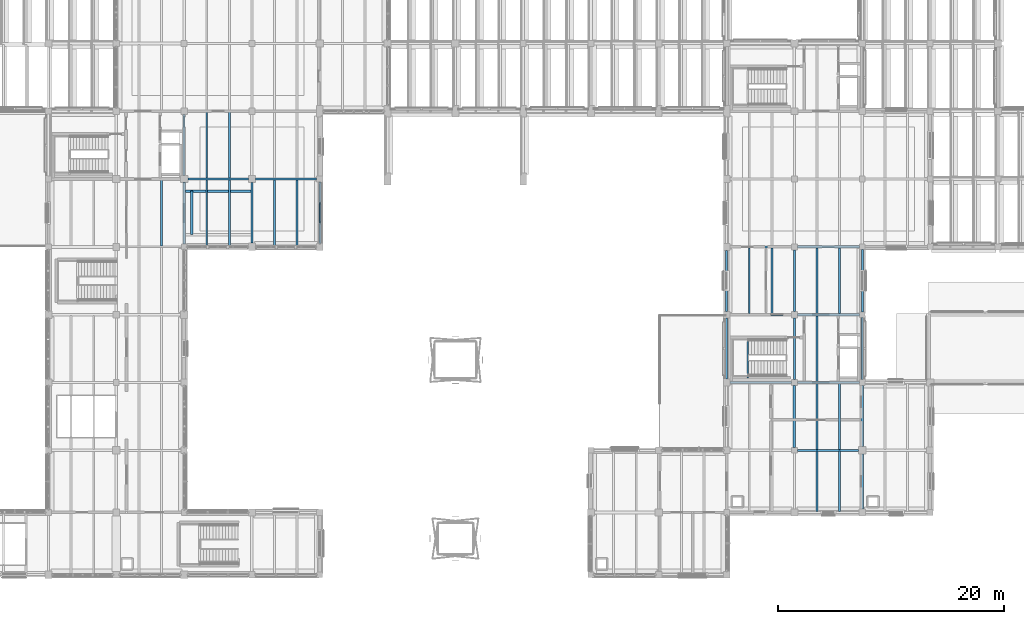
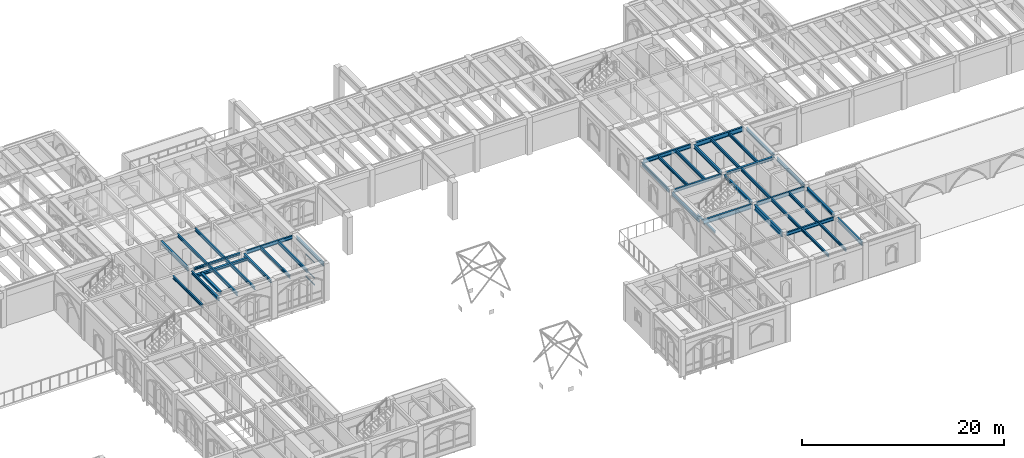
# One storey, part 48 of 127: 41 beams, 4 members, 1 element without a shape of its own.
"""IFC4 building model written with IfcOpenShell, lengths in metres."""

from ifc_helpers import new_model, si_unit, direction, frame, origin, origin_2d, place, context, subcontext, project, spatial, hollow_rectangle, i_section, extrude, material, layer, layer_set, material_profile, profile_set, type_object, element, aggregate, save


model = new_model("IFC4")

# Units and contexts
model_context = context("Model", 3, precision=1e-05, world=origin(), true_north=direction((0.0, 1.0)))
body_context = subcontext(model_context, "Body", "Model", "MODEL_VIEW")
ifc_project = project(units=[si_unit("LENGTHUNIT", "METRE"), si_unit("AREAUNIT", "SQUARE_METRE"), si_unit("VOLUMEUNIT", "CUBIC_METRE"), si_unit("PLANEANGLEUNIT", "RADIAN"), si_unit("MASSUNIT", "GRAM", prefix="KILO")], contexts=[model_context])

# Site, building, storey
site_placement = place(None, origin())
site = spatial("IfcSite", under=ifc_project, at=site_placement, CompositionType="ELEMENT")
building_placement = place(site_placement, origin())
building = spatial("IfcBuilding", under=site, at=building_placement, Name="Cumevento Cable Car Station", CompositionType="ELEMENT")
storey_placement = place(building_placement, frame((0.0, 0.0, 4.5)))
storey = spatial("IfcBuildingStorey", under=building, at=storey_placement, Name="L02", CompositionType="ELEMENT", Elevation=4.5)

# Curtain wall, members
ifc_material_1 = material(Name="Anodised Bronze Aluminium AW-6063-T6", Category="aluminium")
ifc_layer = layer(ifc_material_1, 0.238037109375)
ifc_layer_set = layer_set([ifc_layer], Name="Anodised Bronze Aluminium AW-6063-T6")
curtain_wall_type = type_object("IfcCurtainWallType", Name="Lancet Curtain Wall CW-14 1570", PredefinedType="NOTDEFINED", material=ifc_layer_set)
curtain_wall_placement = place(storey_placement, origin())
curtain_wall = element("IfcCurtainWall", 1, at=curtain_wall_placement, inside=storey, type_object=curtain_wall_type, Name="Lancet Curtain Wall CW-14 L02 #45", PredefinedType="NOTDEFINED")
ifc_material_2 = material(Name="Anodised Bronze Aluminium AW-6063-T6", Category="aluminium")
ifc_material_profile_1 = material_profile(ifc_material_2, hollow_rectangle(XDim=0.06494140625, YDim=0.1201171875, WallThickness=0.00390625, at=origin_2d()), Name="ALUT65x120x4")
ifc_profile_set_1 = profile_set([ifc_material_profile_1], Name="Anodised Bronze Aluminium AW-6063-T6")
member_type = type_object("IfcMemberType", Name="Curtain Transom CWT-01 ALUT65x120x4", PredefinedType="USERDEFINED", material=ifc_profile_set_1)
member_1_placement = place(storey_placement, frame((82.0, 36.88427734375, 0.4423828125), z_axis=(0.0, -1.0, 0.0), x_axis=(1.0, 0.0, 0.0)))
member_1 = element("IfcMember", 2, at=member_1_placement, type_object=member_type, Name="CW-14 transom 2.1", ObjectType="TRANSOM", PredefinedType="USERDEFINED", context=body_context, shape_type="SweptSolid", body=[
    extrude(hollow_rectangle(XDim=0.06494140625, YDim=0.1201171875, WallThickness=0.00390625, at=origin_2d()), origin(), (0.0, 0.0, 1.0), 1.743408203125),
])
member_2_placement = place(storey_placement, frame((82.0, 36.88427734375, 1.260009765625), z_axis=(0.0, -1.0, 0.0), x_axis=(1.0, 0.0, 0.0)))
member_2 = element("IfcMember", 3, at=member_2_placement, type_object=member_type, Name="CW-14 transom 2.2", ObjectType="TRANSOM", PredefinedType="USERDEFINED", context=body_context, shape_type="SweptSolid", body=[
    extrude(hollow_rectangle(XDim=0.06494140625, YDim=0.1201171875, WallThickness=0.00390625, at=origin_2d()), origin(), (0.0, 0.0, 1.0), 1.743408203125),
])
member_3_placement = place(storey_placement, frame((82.0, 36.88427734375, 3.12109375), z_axis=(0.0, -1.0, 0.0), x_axis=(1.0, 0.0, 0.0)))
member_3 = element("IfcMember", 4, at=member_3_placement, type_object=member_type, Name="CW-14 transom 2.3", ObjectType="TRANSOM", PredefinedType="USERDEFINED", context=body_context, shape_type="SweptSolid", body=[
    extrude(hollow_rectangle(XDim=0.06494140625, YDim=0.1201171875, WallThickness=0.00390625, at=origin_2d()), origin(), (0.0, 0.0, 1.0), 1.743408203125),
])
member_4_placement = place(storey_placement, frame((82.0, 36.88427734375, 3.78857421875), z_axis=(0.0, -1.0, 0.0), x_axis=(1.0, 0.0, 0.0)))
member_4 = element("IfcMember", 5, at=member_4_placement, type_object=member_type, Name="CW-14 transom 2.4", ObjectType="TRANSOM", PredefinedType="USERDEFINED", context=body_context, shape_type="SweptSolid", body=[
    extrude(hollow_rectangle(XDim=0.06494140625, YDim=0.1201171875, WallThickness=0.00390625, at=origin_2d()), origin(), (0.0, 0.0, 1.0), 1.743408203125),
])
aggregate(curtain_wall, [member_1, member_2, member_3, member_4])

# Beams
ifc_material_3 = material(Name="Steel ASTM A572 Grade 50", Category="steel")
ifc_material_profile_2 = material_profile(ifc_material_3, i_section(OverallWidth=0.22802734375, OverallDepth=0.60791015625, WebThickness=0.01123046875, FlangeThickness=0.017333984375, at=origin_2d()), Name="W610x113.0")
ifc_profile_set_2 = profile_set([ifc_material_profile_2], Name="Steel ASTM A572 Grade 50")
beam_type_1 = type_object("IfcBeamType", Name="Structural Beam BM-02 W610x113.0", PredefinedType="BEAM", material=ifc_profile_set_2)
beam_1_placement = place(storey_placement, frame((124.0, 15.25, 3.89990234375), z_axis=(0.0, 1.0, 0.0), x_axis=(-1.0, 0.0, 0.0)))
element("IfcBeam", 6, at=beam_1_placement, inside=storey, type_object=beam_type_1, Name="Beam BM-02 L02 #661", PredefinedType="BEAM", context=body_context, shape_type="SweptSolid", body=[
    extrude(i_section(OverallWidth=0.22802734375, OverallDepth=0.60791015625, WebThickness=0.01123046875, FlangeThickness=0.017333984375, at=origin_2d()), origin(), (0.0, 0.0, 1.0), 5.47509765625),
])
ifc_material_4 = material(Name="Steel ASTM A572 Grade 50", Category="steel")
ifc_material_profile_3 = material_profile(ifc_material_4, i_section(OverallWidth=0.18994140625, OverallDepth=0.45703125, WebThickness=0.009033203125, FlangeThickness=0.014404296875, at=origin_2d()), Name="W460x74.0")
ifc_profile_set_3 = profile_set([ifc_material_profile_3], Name="Steel ASTM A572 Grade 50")
beam_type_2 = type_object("IfcBeamType", Name="Structural Beam BM-04 W460x74.0", PredefinedType="BEAM", material=ifc_profile_set_3)
beam_2_placement = place(storey_placement, frame((70.0, 39.324951171875, 3.99951171875), z_axis=(0.0, 1.0, 0.0), x_axis=(-1.0, 0.0, 0.0)))
element("IfcBeam", 7, at=beam_2_placement, inside=storey, type_object=beam_type_2, Name="Beam BM-04 L02 #506", PredefinedType="BEAM", context=body_context, shape_type="SweptSolid", body=[
    extrude(i_section(OverallWidth=0.18994140625, OverallDepth=0.45703125, WebThickness=0.009033203125, FlangeThickness=0.014404296875, at=origin_2d()), origin(), (0.0, 0.0, 1.0), 5.375),
])
beam_3_placement = place(storey_placement, frame((124.27490234375, 21.0, 3.9755859375), z_axis=(1.0, 0.0, 0.0), x_axis=(0.0, 1.0, 0.0)))
element("IfcBeam", 8, at=beam_3_placement, inside=storey, type_object=beam_type_2, Name="Beam BM-04 L02 #657", PredefinedType="BEAM", context=body_context, shape_type="SweptSolid", body=[
    extrude(i_section(OverallWidth=0.18994140625, OverallDepth=0.45703125, WebThickness=0.009033203125, FlangeThickness=0.014404296875, at=origin_2d()), origin(), (0.0, 0.0, 1.0), 5.47509765625),
])
beam_4_placement = place(storey_placement, frame((130.0, 9.800048828125, 3.987548828125), z_axis=(0.0, 1.0, 0.0), x_axis=(-1.0, 0.0, 0.0)))
element("IfcBeam", 9, at=beam_4_placement, inside=storey, type_object=beam_type_2, Name="Beam BM-04 L02 #662", PredefinedType="BEAM", context=body_context, shape_type="SweptSolid", body=[
    extrude(i_section(OverallWidth=0.18994140625, OverallDepth=0.45703125, WebThickness=0.009033203125, FlangeThickness=0.014404296875, at=origin_2d()), origin(), (0.0, 0.0, 1.0), 4.875),
])
beam_5_placement = place(storey_placement, frame((124.0, 27.27490234375, 3.95654296875), z_axis=(0.0, 1.0, 0.0), x_axis=(-1.0, 0.0, 0.0)))
element("IfcBeam", 10, at=beam_5_placement, inside=storey, type_object=beam_type_2, Name="Beam BM-04 L02 #674", PredefinedType="BEAM", context=body_context, shape_type="SweptSolid", body=[
    extrude(i_section(OverallWidth=0.18994140625, OverallDepth=0.45703125, WebThickness=0.009033203125, FlangeThickness=0.014404296875, at=origin_2d()), origin(), (0.0, 0.0, 1.0), 5.4501953125),
])
ifc_material_5 = material(Name="Steel ASTM A572 Grade 50", Category="steel")
ifc_material_profile_4 = material_profile(ifc_material_5, i_section(OverallWidth=0.205078125, OverallDepth=0.35400390625, WebThickness=0.009521484375, FlangeThickness=0.016845703125, at=origin_2d()), Name="W360x79.0")
ifc_profile_set_4 = profile_set([ifc_material_profile_4], Name="Steel ASTM A572 Grade 50")
beam_type_3 = type_object("IfcBeamType", Name="Structural Beam BM-05 W360x79.0", PredefinedType="BEAM", material=ifc_profile_set_4)
beam_6_placement = place(storey_placement, frame((70.0, 33.25, 4.051025390625), z_axis=(0.0, 1.0, 0.0), x_axis=(-1.0, 0.0, 0.0)))
element("IfcBeam", 11, at=beam_6_placement, inside=storey, type_object=beam_type_3, Name="Beam BM-05 L02 #501", PredefinedType="BEAM", context=body_context, shape_type="SweptSolid", body=[
    extrude(i_section(OverallWidth=0.205078125, OverallDepth=0.35400390625, WebThickness=0.009521484375, FlangeThickness=0.016845703125, at=origin_2d()), origin(), (0.0, 0.0, 1.0), 5.425048828125),
])
beam_7_placement = place(storey_placement, frame((76.0, 33.324951171875, 4.051025390625), z_axis=(0.0, 1.0, 0.0), x_axis=(-1.0, 0.0, 0.0)))
element("IfcBeam", 12, at=beam_7_placement, inside=storey, type_object=beam_type_3, Name="Beam BM-05 L02 #513", PredefinedType="BEAM", context=body_context, shape_type="SweptSolid", body=[
    extrude(i_section(OverallWidth=0.205078125, OverallDepth=0.35400390625, WebThickness=0.009521484375, FlangeThickness=0.016845703125, at=origin_2d()), origin(), (0.0, 0.0, 1.0), 5.375),
])
for number, where, z_axis, x_axis, name in (
    (13, (130.0, 15.324951171875, 4.027099609375), (0.0, 1.0, 0.0), (-1.0, 0.0, 0.0), "Beam BM-05 L02 #663"),
    (14, (118.300048828125, 27.0, 4.027099609375), (1.0, 0.0, 0.0), (0.0, 1.0, 0.0), "Beam BM-05 L02 #666"),
):
    element("IfcBeam", number, at=place(storey_placement, frame(where, z_axis=z_axis, x_axis=x_axis)), inside=storey, type_object=beam_type_3, Name=name, PredefinedType="BEAM", context=body_context, shape_type="SweptSolid", body=[
        extrude(i_section(OverallWidth=0.205078125, OverallDepth=0.35400390625, WebThickness=0.009521484375, FlangeThickness=0.016845703125, at=origin_2d()), origin(), (0.0, 0.0, 1.0), 5.425048828125),
    ])
beam_8_placement = place(storey_placement, frame((124.0, 21.27490234375, 4.027099609375), z_axis=(0.0, 1.0, 0.0), x_axis=(-1.0, 0.0, 0.0)))
element("IfcBeam", 15, at=beam_8_placement, inside=storey, type_object=beam_type_3, Name="Beam BM-05 L02 #669", PredefinedType="BEAM", context=body_context, shape_type="SweptSolid", body=[
    extrude(i_section(OverallWidth=0.205078125, OverallDepth=0.35400390625, WebThickness=0.009521484375, FlangeThickness=0.016845703125, at=origin_2d()), origin(), (0.0, 0.0, 1.0), 5.4501953125),
])
ifc_material_6 = material(Name="Steel ASTM A572 Grade 50", Category="steel")
ifc_material_profile_5 = material_profile(ifc_material_6, i_section(OverallWidth=0.25390625, OverallDepth=0.305908203125, WebThickness=0.0087890625, FlangeThickness=0.0146484375, at=origin_2d()), Name="W310x79.0")
ifc_profile_set_5 = profile_set([ifc_material_profile_5], Name="Steel ASTM A572 Grade 50")
beam_type_4 = type_object("IfcBeamType", Name="Structural Beam BM-06 W310x79.0", PredefinedType="BEAM", material=ifc_profile_set_5)
beam_9_placement = place(storey_placement, frame((124.27490234375, 27.0, 4.051025390625), z_axis=(1.0, 0.0, 0.0), x_axis=(0.0, 1.0, 0.0)))
element("IfcBeam", 16, at=beam_9_placement, inside=storey, type_object=beam_type_4, Name="Beam BM-06 L02 #667", PredefinedType="BEAM", context=body_context, shape_type="SweptSolid", body=[
    extrude(i_section(OverallWidth=0.25390625, OverallDepth=0.305908203125, WebThickness=0.0087890625, FlangeThickness=0.0146484375, at=origin_2d()), origin(), (0.0, 0.0, 1.0), 5.47509765625),
])
beam_10_placement = place(storey_placement, frame((70.050048828125, 37.923095703125, 4.074951171875), z_axis=(1.0, 0.0, 0.0), x_axis=(0.0, 1.0, 0.0)))
element("IfcBeam", 17, at=beam_10_placement, inside=storey, type_object=beam_type_4, Name="Stairwell Curb Girder ST-11 #33", PredefinedType="BEAM", context=body_context, shape_type="SweptSolid", body=[
    extrude(i_section(OverallWidth=0.25390625, OverallDepth=0.305908203125, WebThickness=0.0087890625, FlangeThickness=0.0146484375, at=origin_2d()), origin(), (0.0, 0.0, 1.0), 5.89990234375),
])
beam_11_placement = place(storey_placement, frame((70.677001953125, 34.076904296875, 4.074951171875), z_axis=(0.0, 1.0, 0.0), x_axis=(-1.0, 0.0, 0.0)))
element("IfcBeam", 18, at=beam_11_placement, inside=storey, type_object=beam_type_4, Name="Stairwell Cross-Trimmer ST-11 #34", PredefinedType="BEAM", context=body_context, shape_type="SweptSolid", body=[
    extrude(i_section(OverallWidth=0.25390625, OverallDepth=0.305908203125, WebThickness=0.0087890625, FlangeThickness=0.0146484375, at=origin_2d()), origin(), (0.0, 0.0, 1.0), 3.84619140625),
])
ifc_material_7 = material(Name="Steel ASTM A572 Grade 50", Category="steel")
ifc_material_profile_6 = material_profile(ifc_material_7, i_section(OverallWidth=0.14794921875, OverallDepth=0.26611328125, WebThickness=0.007568359375, FlangeThickness=0.012939453125, at=origin_2d()), Name="W250x44.8")
ifc_profile_set_6 = profile_set([ifc_material_profile_6], Name="Steel ASTM A572 Grade 50")
beam_type_5 = type_object("IfcBeamType", Name="Structural Beam BM-07 W250x44.8", PredefinedType="BEAM", material=ifc_profile_set_6)
beam_12_placement = place(storey_placement, frame((119.860107421875, 21.39990234375, 1.89404296875), z_axis=(0.0, 1.0, 0.0), x_axis=(-1.0, 0.0, 0.0)))
element("IfcBeam", 19, at=beam_12_placement, inside=storey, type_object=beam_type_5, Name="Core Stair Half-Landing Trimmer ST-05-L02", PredefinedType="BEAM", context=body_context, shape_type="SweptSolid", body=[
    extrude(i_section(OverallWidth=0.14794921875, OverallDepth=0.26611328125, WebThickness=0.007568359375, FlangeThickness=0.012939453125, at=origin_2d()), origin(), (0.0, 0.0, 1.0), 3.52001953125),
])
ifc_material_8 = material(Name="Steel ASTM A572 Grade 50", Category="steel")
ifc_material_profile_7 = material_profile(ifc_material_8, i_section(OverallWidth=0.202880859375, OverallDepth=0.251953125, WebThickness=0.008056640625, FlangeThickness=0.013427734375, at=origin_2d()), Name="W250x58.0")
ifc_profile_set_7 = profile_set([ifc_material_profile_7], Name="Steel ASTM A572 Grade 50")
beam_type_6 = type_object("IfcBeamType", Name="Structural Beam BM-08 W250x58.0", PredefinedType="BEAM", material=ifc_profile_set_7)
beam_13_placement = place(storey_placement, frame((70.324951171875, 39.0, 4.10205078125), z_axis=(1.0, 0.0, 0.0), x_axis=(0.0, 1.0, 0.0)))
element("IfcBeam", 20, at=beam_13_placement, inside=storey, type_object=beam_type_6, Name="Beam BM-08 L02 #509", PredefinedType="BEAM", context=body_context, shape_type="SweptSolid", body=[
    extrude(i_section(OverallWidth=0.202880859375, OverallDepth=0.251953125, WebThickness=0.008056640625, FlangeThickness=0.013427734375, at=origin_2d()), origin(), (0.0, 0.0, 1.0), 5.375),
])
ifc_material_9 = material(Name="Steel ASTM A572 Grade 50", Category="steel")
ifc_material_profile_8 = material_profile(ifc_material_9, i_section(OverallWidth=0.179931640625, OverallDepth=0.4130859375, WebThickness=0.009765625, FlangeThickness=0.01611328125, at=origin_2d()), Name="W410x74.0")
ifc_profile_set_8 = profile_set([ifc_material_profile_8], Name="Steel ASTM A572 Grade 50")
beam_type_7 = type_object("IfcBeamType", Name="Structural Beam BM-09 W410x74.0", PredefinedType="BEAM", material=ifc_profile_set_8)
for number, where, z_axis, x_axis, name in (
    (21, (76.300048828125, 39.0, 4.021484375), (1.0, 0.0, 0.0), (0.0, 1.0, 0.0), "Beam BM-09 L02 #510"),
    (22, (124.25, 15.0, 4.009521484375), (1.0, 0.0, 0.0), (0.0, 1.0, 0.0), "Beam BM-09 L02 #654"),
):
    element("IfcBeam", number, at=place(storey_placement, frame(where, z_axis=z_axis, x_axis=x_axis)), inside=storey, type_object=beam_type_7, Name=name, PredefinedType="BEAM", context=body_context, shape_type="SweptSolid", body=[
        extrude(i_section(OverallWidth=0.179931640625, OverallDepth=0.4130859375, WebThickness=0.009765625, FlangeThickness=0.01611328125, at=origin_2d()), origin(), (0.0, 0.0, 1.0), 5.425048828125),
    ])
ifc_material_10 = material(Name="Steel ASTM A572 Grade 50", Category="steel")
ifc_material_profile_9 = material_profile(ifc_material_10, i_section(OverallWidth=0.19189453125, OverallDepth=0.462890625, WebThickness=0.010498046875, FlangeThickness=0.017578125, at=origin_2d()), Name="W460x89.0")
ifc_profile_set_9 = profile_set([ifc_material_profile_9], Name="Steel ASTM A572 Grade 50")
beam_type_8 = type_object("IfcBeamType", Name="Structural Beam BM-10 W460x89.0", PredefinedType="BEAM", material=ifc_profile_set_9)
beam_14_placement = place(storey_placement, frame((118.300048828125, 33.0, 3.95361328125), z_axis=(1.0, 0.0, 0.0), x_axis=(0.0, 1.0, 0.0)))
element("IfcBeam", 23, at=beam_14_placement, inside=storey, type_object=beam_type_8, Name="Beam BM-10 L02 #671", PredefinedType="BEAM", context=body_context, shape_type="SweptSolid", body=[
    extrude(i_section(OverallWidth=0.19189453125, OverallDepth=0.462890625, WebThickness=0.010498046875, FlangeThickness=0.017578125, at=origin_2d()), origin(), (0.0, 0.0, 1.0), 5.425048828125),
])
ifc_material_11 = material(Name="Steel ASTM A572 Grade 50", Category="steel")
ifc_material_profile_10 = material_profile(ifc_material_11, i_section(OverallWidth=0.2109375, OverallDepth=0.5390625, WebThickness=0.01171875, FlangeThickness=0.018798828125, at=origin_2d()), Name="W530x109.0")
ifc_profile_set_10 = profile_set([ifc_material_profile_10], Name="Steel ASTM A572 Grade 50")
beam_type_9 = type_object("IfcBeamType", Name="Structural Beam BM-11 W530x109.0", PredefinedType="BEAM", material=ifc_profile_set_10)
beam_15_placement = place(storey_placement, frame((118.300048828125, 21.0, 3.9345703125), z_axis=(1.0, 0.0, 0.0), x_axis=(0.0, 1.0, 0.0)))
element("IfcBeam", 24, at=beam_15_placement, inside=storey, type_object=beam_type_9, Name="Beam BM-11 L02 #656", PredefinedType="BEAM", context=body_context, shape_type="SweptSolid", body=[
    extrude(i_section(OverallWidth=0.2109375, OverallDepth=0.5390625, WebThickness=0.01171875, FlangeThickness=0.018798828125, at=origin_2d()), origin(), (0.0, 0.0, 1.0), 5.425048828125),
])
beam_16_placement = place(storey_placement, frame((124.27490234375, 33.0, 3.91552734375), z_axis=(1.0, 0.0, 0.0), x_axis=(0.0, 1.0, 0.0)))
element("IfcBeam", 25, at=beam_16_placement, inside=storey, type_object=beam_type_9, Name="Beam BM-11 L02 #672", PredefinedType="BEAM", context=body_context, shape_type="SweptSolid", body=[
    extrude(i_section(OverallWidth=0.2109375, OverallDepth=0.5390625, WebThickness=0.01171875, FlangeThickness=0.018798828125, at=origin_2d()), origin(), (0.0, 0.0, 1.0), 5.47509765625),
])
ifc_material_12 = material(Name="Steel ASTM A572 Grade 50", Category="steel")
ifc_material_profile_11 = material_profile(ifc_material_12, i_section(OverallWidth=0.1708984375, OverallDepth=0.35498046875, WebThickness=0.007080078125, FlangeThickness=0.01171875, at=origin_2d()), Name="W360x51.0")
ifc_profile_set_11 = profile_set([ifc_material_profile_11], Name="Steel ASTM A572 Grade 50")
beam_type_10 = type_object("IfcBeamType", Name="Structural Joist JS-01 W360x51.0", PredefinedType="JOIST", material=ifc_profile_set_11)
beam_17_placement = place(storey_placement, frame((68.0, 33.06201171875, 4.050537109375), z_axis=(0.0, 1.0, 0.0), x_axis=(-1.0, 0.0, 0.0)))
element("IfcBeam", 26, at=beam_17_placement, inside=storey, type_object=beam_type_10, Name="Composite Floor Joist JS-01 L02 #769", PredefinedType="JOIST", context=body_context, shape_type="SweptSolid", body=[
    extrude(i_section(OverallWidth=0.1708984375, OverallDepth=0.35498046875, WebThickness=0.007080078125, FlangeThickness=0.01171875, at=origin_2d()), origin(), (0.0, 0.0, 1.0), 5.860107421875),
])
beam_18_placement = place(storey_placement, frame((72.0, 33.076904296875, 4.050537109375), z_axis=(0.0, 1.0, 0.0), x_axis=(-1.0, 0.0, 0.0)))
element("IfcBeam", 27, at=beam_18_placement, inside=storey, type_object=beam_type_10, Name="Composite Floor Joist JS-01 L02 #771", PredefinedType="JOIST", context=body_context, shape_type="SweptSolid", body=[
    extrude(i_section(OverallWidth=0.1708984375, OverallDepth=0.35498046875, WebThickness=0.007080078125, FlangeThickness=0.01171875, at=origin_2d()), origin(), (0.0, 0.0, 1.0), 5.83349609375),
])
beam_19_placement = place(storey_placement, frame((72.0, 39.089599609375, 4.050537109375), z_axis=(0.0, 1.0, 0.0), x_axis=(-1.0, 0.0, 0.0)))
element("IfcBeam", 28, at=beam_19_placement, inside=storey, type_object=beam_type_10, Name="Composite Floor Joist JS-01 L02 #772", PredefinedType="JOIST", context=body_context, shape_type="SweptSolid", body=[
    extrude(i_section(OverallWidth=0.1708984375, OverallDepth=0.35498046875, WebThickness=0.007080078125, FlangeThickness=0.01171875, at=origin_2d()), origin(), (0.0, 0.0, 1.0), 5.826416015625),
])
beam_20_placement = place(storey_placement, frame((74.0, 33.076904296875, 4.050537109375), z_axis=(0.0, 1.0, 0.0), x_axis=(-1.0, 0.0, 0.0)))
element("IfcBeam", 29, at=beam_20_placement, inside=storey, type_object=beam_type_10, Name="Composite Floor Joist JS-01 L02 #773", PredefinedType="JOIST", context=body_context, shape_type="SweptSolid", body=[
    extrude(i_section(OverallWidth=0.1708984375, OverallDepth=0.35498046875, WebThickness=0.007080078125, FlangeThickness=0.01171875, at=origin_2d()), origin(), (0.0, 0.0, 1.0), 5.83349609375),
])
beam_21_placement = place(storey_placement, frame((74.0, 39.089599609375, 4.050537109375), z_axis=(0.0, 1.0, 0.0), x_axis=(-1.0, 0.0, 0.0)))
element("IfcBeam", 30, at=beam_21_placement, inside=storey, type_object=beam_type_10, Name="Composite Floor Joist JS-01 L02 #774", PredefinedType="JOIST", context=body_context, shape_type="SweptSolid", body=[
    extrude(i_section(OverallWidth=0.1708984375, OverallDepth=0.35498046875, WebThickness=0.007080078125, FlangeThickness=0.01171875, at=origin_2d()), origin(), (0.0, 0.0, 1.0), 5.826416015625),
])
for number, where, z_axis, x_axis, name in (
    (31, (78.0, 33.076904296875, 4.050537109375), (0.0, 1.0, 0.0), (-1.0, 0.0, 0.0), "Composite Floor Joist JS-01 L02 #775"),
    (32, (80.0, 33.076904296875, 4.050537109375), (0.0, 1.0, 0.0), (-1.0, 0.0, 0.0), "Composite Floor Joist JS-01 L02 #777"),
):
    element("IfcBeam", number, at=place(storey_placement, frame(where, z_axis=z_axis, x_axis=x_axis)), inside=storey, type_object=beam_type_10, Name=name, PredefinedType="JOIST", context=body_context, shape_type="SweptSolid", body=[
        extrude(i_section(OverallWidth=0.1708984375, OverallDepth=0.35498046875, WebThickness=0.007080078125, FlangeThickness=0.01171875, at=origin_2d()), origin(), (0.0, 0.0, 1.0), 5.84521484375),
    ])
for number, where, z_axis, x_axis, name in (
    (33, (126.0, 15.077880859375, 4.026611328125), (0.0, 1.0, 0.0), (-1.0, 0.0, 0.0), "Composite Floor Joist JS-01 L02 #871"),
    (34, (128.0, 15.077880859375, 4.026611328125), (0.0, 1.0, 0.0), (-1.0, 0.0, 0.0), "Composite Floor Joist JS-01 L02 #873"),
):
    element("IfcBeam", number, at=place(storey_placement, frame(where, z_axis=z_axis, x_axis=x_axis)), inside=storey, type_object=beam_type_10, Name=name, PredefinedType="JOIST", context=body_context, shape_type="SweptSolid", body=[
        extrude(i_section(OverallWidth=0.1708984375, OverallDepth=0.35498046875, WebThickness=0.007080078125, FlangeThickness=0.01171875, at=origin_2d()), origin(), (0.0, 0.0, 1.0), 5.839111328125),
    ])
beam_22_placement = place(storey_placement, frame((126.0, 21.0830078125, 4.026611328125), z_axis=(0.0, 1.0, 0.0), x_axis=(-1.0, 0.0, 0.0)))
element("IfcBeam", 35, at=beam_22_placement, inside=storey, type_object=beam_type_10, Name="Composite Floor Joist JS-01 L02 #878", PredefinedType="JOIST", context=body_context, shape_type="SweptSolid", body=[
    extrude(i_section(OverallWidth=0.1708984375, OverallDepth=0.35498046875, WebThickness=0.007080078125, FlangeThickness=0.01171875, at=origin_2d()), origin(), (0.0, 0.0, 1.0), 5.802001953125),
])
for number, where, z_axis, x_axis, name in (
    (36, (120.0, 27.090576171875, 4.007568359375), (0.0, 1.0, 0.0), (-1.0, 0.0, 0.0), "Composite Floor Joist JS-01 L02 #879"),
    (37, (122.0, 27.090576171875, 4.007568359375), (0.0, 1.0, 0.0), (-1.0, 0.0, 0.0), "Composite Floor Joist JS-01 L02 #880"),
):
    element("IfcBeam", number, at=place(storey_placement, frame(where, z_axis=z_axis, x_axis=x_axis)), inside=storey, type_object=beam_type_10, Name=name, PredefinedType="JOIST", context=body_context, shape_type="SweptSolid", body=[
        extrude(i_section(OverallWidth=0.1708984375, OverallDepth=0.35498046875, WebThickness=0.007080078125, FlangeThickness=0.01171875, at=origin_2d()), origin(), (0.0, 0.0, 1.0), 5.825439453125),
    ])
for number, where, z_axis, x_axis, name in (
    (38, (126.0, 27.114990234375, 4.007568359375), (0.0, 1.0, 0.0), (-1.0, 0.0, 0.0), "Composite Floor Joist JS-01 L02 #881"),
    (39, (128.0, 27.114990234375, 4.007568359375), (0.0, 1.0, 0.0), (-1.0, 0.0, 0.0), "Composite Floor Joist JS-01 L02 #882"),
):
    element("IfcBeam", number, at=place(storey_placement, frame(where, z_axis=z_axis, x_axis=x_axis)), inside=storey, type_object=beam_type_10, Name=name, PredefinedType="JOIST", context=body_context, shape_type="SweptSolid", body=[
        extrude(i_section(OverallWidth=0.1708984375, OverallDepth=0.35498046875, WebThickness=0.007080078125, FlangeThickness=0.01171875, at=origin_2d()), origin(), (0.0, 0.0, 1.0), 5.79150390625),
    ])
ifc_material_13 = material(Name="Steel ASTM A572 Grade 50", Category="steel")
ifc_material_profile_12 = material_profile(ifc_material_13, i_section(OverallWidth=0.1669921875, OverallDepth=0.31689453125, WebThickness=0.007568359375, FlangeThickness=0.01318359375, at=origin_2d()), Name="W310x52.0")
ifc_profile_set_12 = profile_set([ifc_material_profile_12], Name="Steel ASTM A572 Grade 50")
beam_type_11 = type_object("IfcBeamType", Name="Structural Joist JS-02 W310x52.0", PredefinedType="JOIST", material=ifc_profile_set_12)
for number, where, z_axis, x_axis, name in (
    (40, (126.0, 9.576904296875, 4.0576171875), (0.0, 1.0, 0.0), (-1.0, 0.0, 0.0), "Composite Floor Joist JS-02 L02 #870"),
    (41, (128.0, 9.576904296875, 4.0576171875), (0.0, 1.0, 0.0), (-1.0, 0.0, 0.0), "Composite Floor Joist JS-02 L02 #872"),
):
    element("IfcBeam", number, at=place(storey_placement, frame(where, z_axis=z_axis, x_axis=x_axis)), inside=storey, type_object=beam_type_11, Name=name, PredefinedType="JOIST", context=body_context, shape_type="SweptSolid", body=[
        extrude(i_section(OverallWidth=0.1669921875, OverallDepth=0.31689453125, WebThickness=0.007568359375, FlangeThickness=0.01318359375, at=origin_2d()), origin(), (0.0, 0.0, 1.0), 5.34521484375),
    ])
ifc_material_14 = material(Name="Steel ASTM A572 Grade 50", Category="steel")
ifc_material_profile_13 = material_profile(ifc_material_14, i_section(OverallWidth=0.177978515625, OverallDepth=0.406982421875, WebThickness=0.0078125, FlangeThickness=0.0126953125, at=origin_2d()), Name="W410x60.0")
ifc_profile_set_13 = profile_set([ifc_material_profile_13], Name="Steel ASTM A572 Grade 50")
beam_type_12 = type_object("IfcBeamType", Name="Structural Spandrel SP-01 W410x60.0", PredefinedType="SPANDREL", material=ifc_profile_set_13)
beam_23_placement = place(storey_placement, frame((82.0, 33.300048828125, 4.0244140625), z_axis=(0.0, 1.0, 0.0), x_axis=(-1.0, 0.0, 0.0)))
element("IfcBeam", 42, at=beam_23_placement, inside=storey, type_object=beam_type_12, Name="Beam SP-01 L02 #515", PredefinedType="SPANDREL", context=body_context, shape_type="SweptSolid", body=[
    extrude(i_section(OverallWidth=0.177978515625, OverallDepth=0.406982421875, WebThickness=0.0078125, FlangeThickness=0.0126953125, at=origin_2d()), origin(), (0.0, 0.0, 1.0), 5.425048828125),
])
beam_24_placement = place(storey_placement, frame((118.0, 21.300048828125, 4.00048828125), z_axis=(0.0, 1.0, 0.0), x_axis=(-1.0, 0.0, 0.0)))
element("IfcBeam", 43, at=beam_24_placement, inside=storey, type_object=beam_type_12, Name="Beam SP-01 L02 #668", PredefinedType="SPANDREL", context=body_context, shape_type="SweptSolid", body=[
    extrude(i_section(OverallWidth=0.177978515625, OverallDepth=0.406982421875, WebThickness=0.0078125, FlangeThickness=0.0126953125, at=origin_2d()), origin(), (0.0, 0.0, 1.0), 5.39990234375),
])
beam_25_placement = place(storey_placement, frame((130.0, 21.25, 4.00048828125), z_axis=(0.0, 1.0, 0.0), x_axis=(-1.0, 0.0, 0.0)))
element("IfcBeam", 44, at=beam_25_placement, inside=storey, type_object=beam_type_12, Name="Beam SP-01 L02 #670", PredefinedType="SPANDREL", context=body_context, shape_type="SweptSolid", body=[
    extrude(i_section(OverallWidth=0.177978515625, OverallDepth=0.406982421875, WebThickness=0.0078125, FlangeThickness=0.0126953125, at=origin_2d()), origin(), (0.0, 0.0, 1.0), 5.5),
])
beam_26_placement = place(storey_placement, frame((118.0, 27.300048828125, 3.9814453125), z_axis=(0.0, 1.0, 0.0), x_axis=(-1.0, 0.0, 0.0)))
element("IfcBeam", 45, at=beam_26_placement, inside=storey, type_object=beam_type_12, Name="Beam SP-01 L02 #673", PredefinedType="SPANDREL", context=body_context, shape_type="SweptSolid", body=[
    extrude(i_section(OverallWidth=0.177978515625, OverallDepth=0.406982421875, WebThickness=0.0078125, FlangeThickness=0.0126953125, at=origin_2d()), origin(), (0.0, 0.0, 1.0), 5.39990234375),
])
beam_27_placement = place(storey_placement, frame((130.0, 27.25, 3.9814453125), z_axis=(0.0, 1.0, 0.0), x_axis=(-1.0, 0.0, 0.0)))
element("IfcBeam", 46, at=beam_27_placement, inside=storey, type_object=beam_type_12, Name="Beam SP-01 L02 #675", PredefinedType="SPANDREL", context=body_context, shape_type="SweptSolid", body=[
    extrude(i_section(OverallWidth=0.177978515625, OverallDepth=0.406982421875, WebThickness=0.0078125, FlangeThickness=0.0126953125, at=origin_2d()), origin(), (0.0, 0.0, 1.0), 5.5),
])

save(model, "model.ifc")
